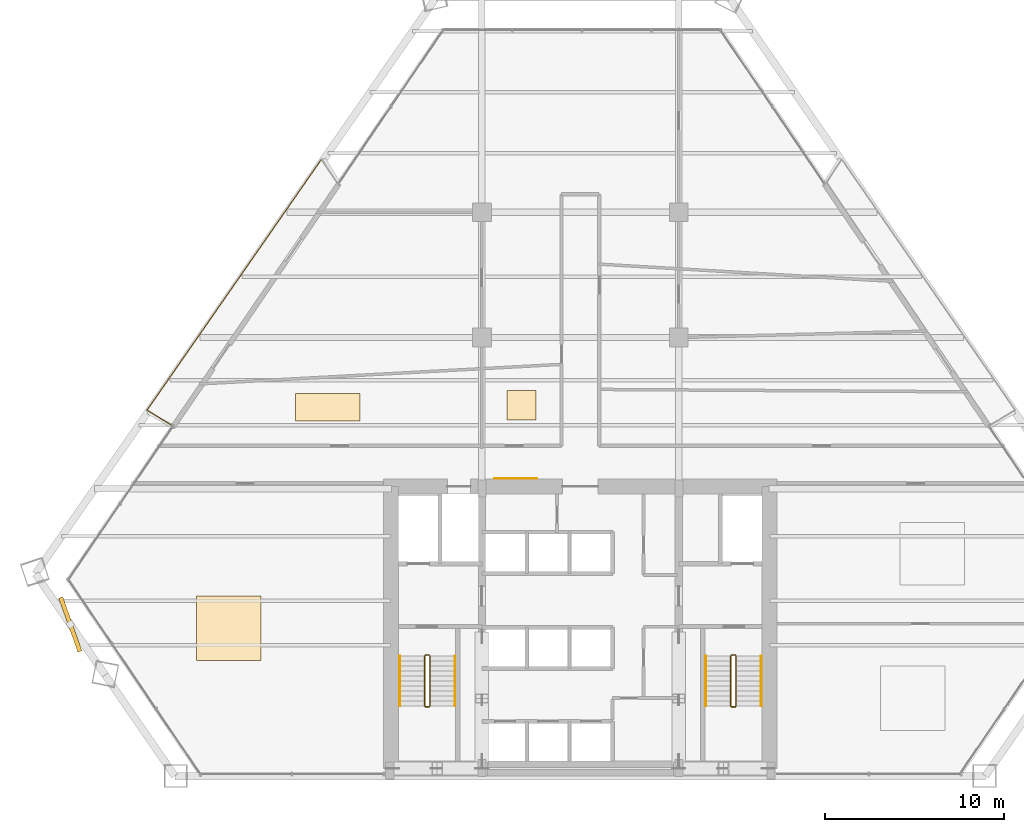
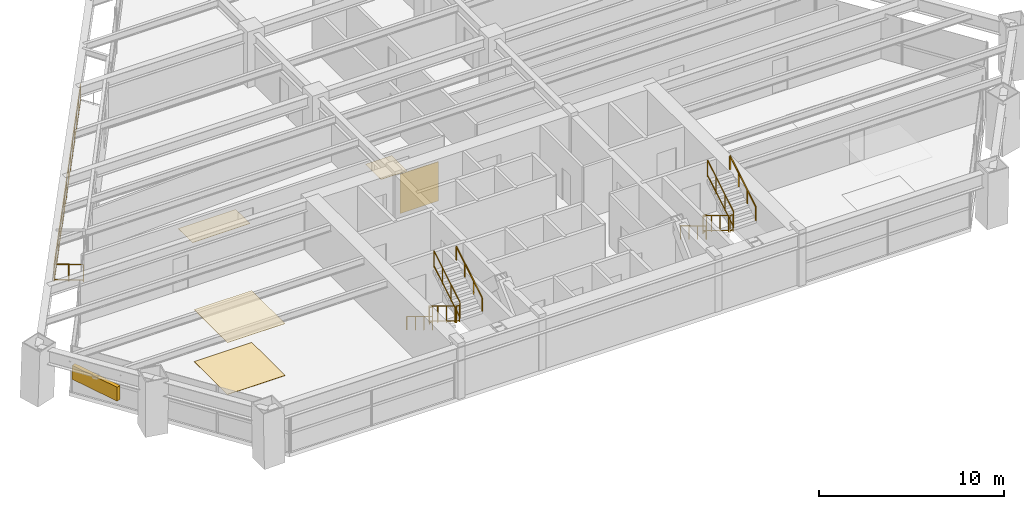
# One storey, part 13 of 14: 14 railings, 5 coverings, 1 shading device.
"""IFC4 building model written with IfcOpenShell, lengths in metres."""

import ifcopenshell
import ifcopenshell.guid

model = None  # the IFC model being written
_history = None  # IfcOwnerHistory: only IFC2X3 demands one
_inside = {}  # id of a spatial element -> (the spatial element, [elements in it])
_under = {}  # id of a project, library or spatial element -> (it, [spatial elements below it])
_declared = {}  # id of a project -> (the project, [libraries it declares])
_typed = {}  # id of a type object -> (the type object, [elements of that type])
_made_of = {}  # id of a material, layer set ... -> (it, [elements and type objects made of it])


def new_model(schema):
    """Start an empty IFC model of exactly this schema.

    Asked for "IFC4X3", IfcOpenShell would pick the latest addendum, in which some entities
    have other attributes; the version numbers below select the first issue.
    IFC2X3 requires an IfcOwnerHistory on every rooted entity: one is made here for all.
    """
    global model, _history
    if schema == "IFC4X3":
        model = ifcopenshell.file(schema_version=(4, 3, 0, 0))
    else:
        model = ifcopenshell.file(schema=schema)
    _inside.clear()
    _under.clear()
    _declared.clear()
    _typed.clear()
    _made_of.clear()
    _history = None
    if model.schema == "IFC2X3":
        org = make("IfcOrganization", Name="unknown")
        user = make(
            "IfcPersonAndOrganization",
            ThePerson=make("IfcPerson", FamilyName="unknown"),
            TheOrganization=org,
        )
        app = make(
            "IfcApplication",
            ApplicationDeveloper=org,
            Version="unknown",
            ApplicationFullName="unknown",
            ApplicationIdentifier="unknown",
        )
        _history = make(
            "IfcOwnerHistory",
            OwningUser=user,
            OwningApplication=app,
            ChangeAction="ADDED",
            CreationDate=0,
        )
    return model


def make(cls, **values):
    """One entity of the class cls with the attributes given. An attribute that is None is left unset."""
    return model.create_entity(
        cls, **{name: value for name, value in values.items() if value is not None}
    )


def rooted(cls, **values):
    """An entity with a GlobalId (a new one), such as an element, a storey or a relation."""
    return make(cls, GlobalId=ifcopenshell.guid.new(), OwnerHistory=_history, **values)


def si_unit(unit_type, name, prefix=None):
    """IfcSIUnit, for example si_unit("LENGTHUNIT", "METRE", prefix="MILLI")."""
    return make("IfcSIUnit", UnitType=unit_type, Prefix=prefix, Name=name)


def assignment(units):
    """IfcUnitAssignment: the units of a project."""
    return None if units is None else make("IfcUnitAssignment", Units=units)


def point(xyz):
    """IfcCartesianPoint."""
    return None if xyz is None else make("IfcCartesianPoint", Coordinates=xyz)


def direction(xyz):
    """IfcDirection."""
    return None if xyz is None else make("IfcDirection", DirectionRatios=xyz)


def frame(location, z_axis=None, x_axis=None):
    """IfcAxis2Placement3D, a coordinate frame: its origin and axes. An axis left out is left unset."""
    return make(
        "IfcAxis2Placement3D",
        Location=point(location),
        Axis=direction(z_axis),
        RefDirection=direction(x_axis),
    )


def frame_2d(location, x_axis=None):
    """IfcAxis2Placement2D, a coordinate frame in the plane: its origin and x axis."""
    return make(
        "IfcAxis2Placement2D", Location=point(location), RefDirection=direction(x_axis)
    )


def origin():
    """The frame at (0, 0, 0) with its axes left unset."""
    return frame((0.0, 0.0, 0.0))


def origin_2d():
    """The frame at (0, 0) in the plane with its x axis left unset."""
    return frame_2d((0.0, 0.0))


def place(relative_to, where):
    """IfcLocalPlacement: puts the frame where relative to a parent placement (None: the world)."""
    return make(
        "IfcLocalPlacement", PlacementRelTo=relative_to, RelativePlacement=where
    )


def context(
    kind, dimensions, precision=None, world=None, true_north=None, identifier=None
):
    """IfcGeometricRepresentationContext, for example the 3D "Model" context."""
    return make(
        "IfcGeometricRepresentationContext",
        ContextIdentifier=identifier,
        ContextType=kind,
        CoordinateSpaceDimension=dimensions,
        Precision=precision,
        WorldCoordinateSystem=world,
        TrueNorth=true_north,
    )


def subcontext(parent, identifier, kind, view, scale=None):
    """IfcGeometricRepresentationSubContext, for example "Body" below "Model"."""
    return make(
        "IfcGeometricRepresentationSubContext",
        ContextIdentifier=identifier,
        ContextType=kind,
        ParentContext=parent,
        TargetScale=scale,
        TargetView=view,
    )


def project(units=None, contexts=None):
    """IfcProject with its units and contexts."""
    return rooted(
        "IfcProject",
        Name="project",
        RepresentationContexts=contexts,
        UnitsInContext=assignment(units),
    )


def spatial(cls, under=None, at=None, **own):
    """A site, building, storey or space (cls), placed at a placement, below another one or the project."""
    s = rooted(cls, ObjectPlacement=at, **own)
    if under is not None:
        _under.setdefault(under.id(), (under, []))[1].append(s)
    return s


def profile(cls, at=None, kind="AREA", **sizes):
    """A parametric profile (cls). Its sizes go by their IFC names, for example OverallWidth=200.0."""
    return make(cls, ProfileType=kind, Position=at, **sizes)


def rectangle(**sizes):
    """IfcRectangleProfileDef."""
    return profile("IfcRectangleProfileDef", **sizes)


def extrude(swept, where, along, depth):
    """IfcExtrudedAreaSolid: the profile swept, set in the frame where, extruded along a direction by depth."""
    return make(
        "IfcExtrudedAreaSolid",
        SweptArea=swept,
        Position=where,
        ExtrudedDirection=direction(along),
        Depth=depth,
    )


def shape(context_of_items, identifier, shape_type, items):
    """IfcShapeRepresentation: the items that make up one representation, for example the "Body"."""
    return make(
        "IfcShapeRepresentation",
        ContextOfItems=context_of_items,
        RepresentationIdentifier=identifier,
        RepresentationType=shape_type,
        Items=items,
    )


def source(mapping_origin, context_of_items, identifier, shape_type, items):
    """IfcRepresentationMap: a shape defined once, which mapped items show again and again."""
    return make(
        "IfcRepresentationMap",
        MappingOrigin=mapping_origin,
        MappedRepresentation=shape(context_of_items, identifier, shape_type, items),
    )


def transform(
    local_origin,
    x_axis=None,
    y_axis=None,
    z_axis=None,
    scale=None,
    scale2=None,
    scale3=None,
    uniform=True,
):
    """IfcCartesianTransformationOperator3D, or its non-uniform kind. x_axis, y_axis, z_axis: its Axis1, 2, 3."""
    if uniform:
        return make(
            "IfcCartesianTransformationOperator3D",
            Axis1=direction(x_axis),
            Axis2=direction(y_axis),
            LocalOrigin=point(local_origin),
            Scale=scale,
            Axis3=direction(z_axis),
        )
    return make(
        "IfcCartesianTransformationOperator3DnonUniform",
        Axis1=direction(x_axis),
        Axis2=direction(y_axis),
        LocalOrigin=point(local_origin),
        Scale=scale,
        Axis3=direction(z_axis),
        Scale2=scale2,
        Scale3=scale3,
    )


def mapped(mapping_source, mapping_target):
    """IfcMappedItem: shows the shape of a source again, moved by a transform."""
    return make(
        "IfcMappedItem", MappingSource=mapping_source, MappingTarget=mapping_target
    )


def material(Name=None, Category=None):
    """IfcMaterial."""
    return make("IfcMaterial", Name=Name, Category=Category)


def layer(
    of_material, thickness, ventilated=None, Name=None, Category=None, Priority=None
):
    """IfcMaterialLayer: one layer of a wall or slab, of a material (None: an air gap)."""
    return make(
        "IfcMaterialLayer",
        Material=of_material,
        LayerThickness=thickness,
        IsVentilated=ventilated,
        Name=Name,
        Category=Category,
        Priority=Priority,
    )


def layer_set(layers, Name=None):
    """IfcMaterialLayerSet."""
    return make("IfcMaterialLayerSet", MaterialLayers=layers, LayerSetName=Name)


def made_of(thing, what):
    """Note that an element or type object is made of a material, layer set ...; save() writes the relation."""
    if what is not None:
        _made_of.setdefault(what.id(), (what, []))[1].append(thing)
    return thing


def type_object(cls, material=None, **own):
    """A type object (cls), such as IfcWallType, which elements share."""
    return made_of(rooted(cls, **own), material)


def type_shapes(of_type, sources):
    """Give a type object the sources (RepresentationMaps) that its elements show as mapped items."""
    of_type.RepresentationMaps = sources


def element(
    cls,
    number,
    at=None,
    inside=None,
    cuts=None,
    type_object=None,
    material=None,
    context=None,
    identifier="Body",
    shape_type=None,
    held_by="IfcProductDefinitionShape",
    body=None,
    shapes=None,
    **own,
):
    """One element of the class cls, such as IfcWall. Its Tag is "e" and its number.

    at: its placement. inside: the storey or other place that contains it. cuts: it is an
    opening in that element (IfcRelVoidsElement). A single representation is given by context,
    identifier, shape_type and body (its items); several are given by shapes. held_by: the class
    of the entity that holds the representations. save() writes the other relations.
    """
    e = rooted(cls, Tag="e%d" % number, ObjectPlacement=at, **own)
    if body is not None:
        shapes = [shape(context, identifier, shape_type, body)]
    if shapes is not None:
        e.Representation = make(held_by, Representations=shapes)
    if inside is not None:
        _inside.setdefault(inside.id(), (inside, []))[1].append(e)
    if cuts is not None:
        rooted(
            "IfcRelVoidsElement", RelatingBuildingElement=cuts, RelatedOpeningElement=e
        )
    if type_object is not None:
        _typed.setdefault(type_object.id(), (type_object, []))[1].append(e)
    return made_of(e, material)


def aggregate(whole, parts):
    """IfcRelAggregates: a whole, such as a stair, and the parts it consists of."""
    return rooted("IfcRelAggregates", RelatingObject=whole, RelatedObjects=parts)


def save(model, path):
    """Write the relations noted so far, then the file.

    IfcRelAggregates (storeys below a building ...), IfcRelContainedInSpatialStructure (elements
    in a storey), IfcRelDefinesByType, IfcRelAssociatesMaterial and IfcRelDeclares: one each for
    every whole, place, type object, material and project.
    """
    for whole, parts in _under.values():
        aggregate(whole, parts)
    for where, things in _inside.values():
        rooted(
            "IfcRelContainedInSpatialStructure",
            RelatedElements=things,
            RelatingStructure=where,
        )
    for kind, things in _typed.values():
        rooted("IfcRelDefinesByType", RelatedObjects=things, RelatingType=kind)
    for what, things in _made_of.values():
        rooted("IfcRelAssociatesMaterial", RelatedObjects=things, RelatingMaterial=what)
    for by, libraries in _declared.values():
        rooted("IfcRelDeclares", RelatingContext=by, RelatedDefinitions=libraries)
    model.write(path)


model = new_model("IFC4")

# Units and contexts
model_context = context("Model", 3, precision=1e-05, world=origin(), true_north=direction((0.0, 1.0)))
body_context = subcontext(model_context, "Body", "Model", "MODEL_VIEW")
ifc_project = project(units=[si_unit("LENGTHUNIT", "METRE"), si_unit("AREAUNIT", "SQUARE_METRE"), si_unit("VOLUMEUNIT", "CUBIC_METRE"), si_unit("PLANEANGLEUNIT", "RADIAN"), si_unit("MASSUNIT", "GRAM", prefix="KILO")], contexts=[model_context])

# Site, building, storey
site_placement = place(None, origin())
site = spatial("IfcSite", under=ifc_project, at=site_placement, CompositionType="ELEMENT")
building_placement = place(site_placement, origin())
building = spatial("IfcBuilding", under=site, at=building_placement, Name="Varnakhor Terracotta Tower", CompositionType="ELEMENT")
storey_placement = place(building_placement, frame((0.0, 0.0, 34.89990234375)))
storey = spatial("IfcBuildingStorey", under=building, at=storey_placement, Name="L07", CompositionType="ELEMENT", Elevation=34.89990234375)

# Railings
ifc_material_1 = material(Name="Stainless Steel & Laminated Glass Guardrail", Category="steel")
railing_type_1 = type_object("IfcRailingType", Name="RLG-LOGGIA-GUARD-1150", PredefinedType="GUARDRAIL", material=ifc_material_1)
railing_1_placement = place(storey_placement, frame((-22.855712890625, 19.606689453125, 0.0)))
element("IfcRailing", 1, at=railing_1_placement, inside=storey, type_object=railing_type_1, Name="L07 W Loggia Glass Guard 1", PredefinedType="GUARDRAIL", context=body_context, shape_type="SweptSolid", body=[
    extrude(rectangle(XDim=0.048095703125, YDim=0.048095703125, at=origin_2d()), frame((0.0, 0.0, 1.1259765625), z_axis=(-0.850104779924, 0.526613580484, 0.0), x_axis=(-0.526613580484, -0.850104779924, 0.0)), (0.0, 0.0, 1.0), 1.590087890625),
    extrude(rectangle(XDim=0.048095703125, YDim=0.048095703125, at=origin_2d()), frame((0.0, 0.0, 0.10009765625), z_axis=(-0.850104779924, 0.526613580484, 0.0), x_axis=(-0.526613580484, -0.850104779924, 0.0)), (0.0, 0.0, 1.0), 1.590087890625),
    extrude(rectangle(XDim=0.0419921875, YDim=0.0419921875, at=origin_2d()), origin(), (0.0, 0.0, 1.0), 1.101806640625),
    extrude(rectangle(XDim=0.0419921875, YDim=0.0419921875, at=origin_2d()), frame((-0.67578125, 0.418701171875, 0.0)), (0.0, 0.0, 1.0), 1.101806640625),
    extrude(rectangle(XDim=0.0419921875, YDim=0.0419921875, at=origin_2d()), frame((-1.351806640625, 0.83740234375, 0.0)), (0.0, 0.0, 1.0), 1.101806640625),
])
railing_2_placement = place(storey_placement, frame((-24.20751953125, 20.444091796875, 0.0)))
element("IfcRailing", 2, at=railing_2_placement, inside=storey, type_object=railing_type_1, Name="L07 W Loggia Glass Guard 2", PredefinedType="GUARDRAIL", context=body_context, shape_type="SweptSolid", body=[
    extrude(rectangle(XDim=0.048095703125, YDim=0.048095703125, at=origin_2d()), frame((0.0, 0.0, 1.1259765625), z_axis=(0.570798598002, 0.821090104994, 0.0), x_axis=(-0.821090104994, 0.570798598002, 0.0)), (0.0, 0.0, 1.0), 17.058349609375),
    extrude(rectangle(XDim=0.048095703125, YDim=0.048095703125, at=origin_2d()), frame((0.0, 0.0, 0.10009765625), z_axis=(0.570798598002, 0.821090104994, 0.0), x_axis=(-0.821090104994, 0.570798598002, 0.0)), (0.0, 0.0, 1.0), 17.058349609375),
    extrude(rectangle(XDim=0.0419921875, YDim=0.0419921875, at=origin_2d()), origin(), (0.0, 0.0, 1.0), 1.101806640625),
    extrude(rectangle(XDim=0.0419921875, YDim=0.0419921875, at=origin_2d()), frame((0.7490234375, 1.077392578125, 0.0)), (0.0, 0.0, 1.0), 1.101806640625),
    extrude(rectangle(XDim=0.0419921875, YDim=0.0419921875, at=origin_2d()), frame((1.498046875, 2.15478515625, 0.0)), (0.0, 0.0, 1.0), 1.101806640625),
    extrude(rectangle(XDim=0.0419921875, YDim=0.0419921875, at=origin_2d()), frame((2.2470703125, 3.232177734375, 0.0)), (0.0, 0.0, 1.0), 1.101806640625),
    extrude(rectangle(XDim=0.0419921875, YDim=0.0419921875, at=origin_2d()), frame((2.995849609375, 4.3095703125, 0.0)), (0.0, 0.0, 1.0), 1.101806640625),
    extrude(rectangle(XDim=0.0419921875, YDim=0.0419921875, at=origin_2d()), frame((3.744873046875, 5.386962890625, 0.0)), (0.0, 0.0, 1.0), 1.101806640625),
    extrude(rectangle(XDim=0.0419921875, YDim=0.0419921875, at=origin_2d()), frame((4.493896484375, 6.46435546875, 0.0)), (0.0, 0.0, 1.0), 1.101806640625),
    extrude(rectangle(XDim=0.0419921875, YDim=0.0419921875, at=origin_2d()), frame((5.242919921875, 7.5419921875, 0.0)), (0.0, 0.0, 1.0), 1.101806640625),
    extrude(rectangle(XDim=0.0419921875, YDim=0.0419921875, at=origin_2d()), frame((5.991943359375, 8.619384765625, 0.0)), (0.0, 0.0, 1.0), 1.101806640625),
    extrude(rectangle(XDim=0.0419921875, YDim=0.0419921875, at=origin_2d()), frame((6.740966796875, 9.69677734375, 0.0)), (0.0, 0.0, 1.0), 1.101806640625),
    extrude(rectangle(XDim=0.0419921875, YDim=0.0419921875, at=origin_2d()), frame((7.48974609375, 10.774169921875, 0.0)), (0.0, 0.0, 1.0), 1.101806640625),
    extrude(rectangle(XDim=0.0419921875, YDim=0.0419921875, at=origin_2d()), frame((8.23876953125, 11.8515625, 0.0)), (0.0, 0.0, 1.0), 1.101806640625),
    extrude(rectangle(XDim=0.0419921875, YDim=0.0419921875, at=origin_2d()), frame((8.98779296875, 12.928955078125, 0.0)), (0.0, 0.0, 1.0), 1.101806640625),
    extrude(rectangle(XDim=0.0419921875, YDim=0.0419921875, at=origin_2d()), frame((9.73681640625, 14.00634765625, 0.0)), (0.0, 0.0, 1.0), 1.101806640625),
])
ifc_material_2 = material(Name="Painted Steel Stairwell Guardrail", Category="steel")
railing_type_2 = type_object("IfcRailingType", Name="RLG-STAIR-GUARD-1120", PredefinedType="GUARDRAIL", material=ifc_material_2)
railing_3_placement = place(storey_placement, frame((-8.699951171875, 6.7099609375, 0.168212890625)))
element("IfcRailing", 3, at=railing_3_placement, inside=storey, type_object=railing_type_2, Name="L07 ST-1 stair guard 1", PredefinedType="GUARDRAIL", context=body_context, shape_type="SweptSolid", body=[
    extrude(rectangle(XDim=0.048095703125, YDim=0.048095703125, at=origin_2d()), frame((0.0, 0.0, 1.09619140625), z_axis=(0.0, -0.857242210791, 0.514913383045), x_axis=(1.0, 0.0, 0.0)), (0.0, 0.0, 1.0), 3.266357421875),
    extrude(rectangle(XDim=0.048095703125, YDim=0.048095703125, at=origin_2d()), frame((0.0, 0.0, 0.10009765625), z_axis=(0.0, -0.857242210791, 0.514913383045), x_axis=(1.0, 0.0, 0.0)), (0.0, 0.0, 1.0), 3.266357421875),
    extrude(rectangle(XDim=0.0419921875, YDim=0.0419921875, at=origin_2d()), origin(), (0.0, 0.0, 1.0), 1.072021484375),
    extrude(rectangle(XDim=0.0419921875, YDim=0.0419921875, at=origin_2d()), frame((0.0, -0.933349609375, 0.560546875)), (0.0, 0.0, 1.0), 1.072021484375),
    extrude(rectangle(XDim=0.0419921875, YDim=0.0419921875, at=origin_2d()), frame((0.0, -1.86669921875, 1.121337890625)), (0.0, 0.0, 1.0), 1.072021484375),
    extrude(rectangle(XDim=0.0419921875, YDim=0.0419921875, at=origin_2d()), frame((0.0, -2.800048828125, 1.681884765625)), (0.0, 0.0, 1.0), 1.072021484375),
])
railing_4_placement = place(storey_placement, frame((-8.64990234375, 3.860107421875, 1.85009765625)))
element("IfcRailing", 4, at=railing_4_placement, inside=storey, type_object=railing_type_2, Name="L07 ST-1 stair guard 2", PredefinedType="GUARDRAIL", context=body_context, shape_type="SweptSolid", body=[
    extrude(rectangle(XDim=0.048095703125, YDim=0.048095703125, at=origin_2d()), frame((0.0, 0.0, 1.09619140625), z_axis=(1.0, 0.0, 0.0), x_axis=(0.0, 1.0, 0.0)), (0.0, 0.0, 1.0), 0.199951171875),
    extrude(rectangle(XDim=0.048095703125, YDim=0.048095703125, at=origin_2d()), frame((0.0, 0.0, 0.10009765625), z_axis=(1.0, 0.0, 0.0), x_axis=(0.0, 1.0, 0.0)), (0.0, 0.0, 1.0), 0.199951171875),
    extrude(rectangle(XDim=0.0419921875, YDim=0.0419921875, at=origin_2d()), origin(), (0.0, 0.0, 1.0), 1.072021484375),
    extrude(rectangle(XDim=0.0419921875, YDim=0.0419921875, at=origin_2d()), frame((0.199951171875, 0.0, 0.0)), (0.0, 0.0, 1.0), 1.072021484375),
])
railing_5_placement = place(storey_placement, frame((-8.39990234375, 3.909912109375, 2.018310546875)))
element("IfcRailing", 5, at=railing_5_placement, inside=storey, type_object=railing_type_2, Name="L07 ST-1 stair guard 3", PredefinedType="GUARDRAIL", context=body_context, shape_type="SweptSolid", body=[
    extrude(rectangle(XDim=0.048095703125, YDim=0.048095703125, at=origin_2d()), frame((0.0, 0.0, 1.09619140625), z_axis=(0.0, 0.857242210791, 0.514913383045), x_axis=(-1.0, 0.0, 0.0)), (0.0, 0.0, 1.0), 3.266357421875),
    extrude(rectangle(XDim=0.048095703125, YDim=0.048095703125, at=origin_2d()), frame((0.0, 0.0, 0.10009765625), z_axis=(0.0, 0.857242210791, 0.514913383045), x_axis=(-1.0, 0.0, 0.0)), (0.0, 0.0, 1.0), 3.266357421875),
    extrude(rectangle(XDim=0.0419921875, YDim=0.0419921875, at=origin_2d()), origin(), (0.0, 0.0, 1.0), 1.072021484375),
    extrude(rectangle(XDim=0.0419921875, YDim=0.0419921875, at=origin_2d()), frame((0.0, 0.933349609375, 0.560546875)), (0.0, 0.0, 1.0), 1.072021484375),
    extrude(rectangle(XDim=0.0419921875, YDim=0.0419921875, at=origin_2d()), frame((0.0, 1.86669921875, 1.121337890625)), (0.0, 0.0, 1.0), 1.072021484375),
    extrude(rectangle(XDim=0.0419921875, YDim=0.0419921875, at=origin_2d()), frame((0.0, 2.800048828125, 1.681884765625)), (0.0, 0.0, 1.0), 1.072021484375),
])
railing_6_placement = place(storey_placement, frame((-8.64990234375, 6.760009765625, 0.0)))
element("IfcRailing", 6, at=railing_6_placement, inside=storey, type_object=railing_type_2, Name="L07 ST-1 stair guard 4", PredefinedType="GUARDRAIL", context=body_context, shape_type="SweptSolid", body=[
    extrude(rectangle(XDim=0.048095703125, YDim=0.048095703125, at=origin_2d()), frame((0.0, 0.0, 1.09619140625), z_axis=(1.0, 0.0, 0.0), x_axis=(0.0, 1.0, 0.0)), (0.0, 0.0, 1.0), 0.199951171875),
    extrude(rectangle(XDim=0.048095703125, YDim=0.048095703125, at=origin_2d()), frame((0.0, 0.0, 0.10009765625), z_axis=(1.0, 0.0, 0.0), x_axis=(0.0, 1.0, 0.0)), (0.0, 0.0, 1.0), 0.199951171875),
    extrude(rectangle(XDim=0.0419921875, YDim=0.0419921875, at=origin_2d()), origin(), (0.0, 0.0, 1.0), 1.072021484375),
    extrude(rectangle(XDim=0.0419921875, YDim=0.0419921875, at=origin_2d()), frame((0.199951171875, 0.0, 0.0)), (0.0, 0.0, 1.0), 1.072021484375),
])
railing_7_placement = place(storey_placement, frame((8.39990234375, 6.7099609375, 0.168212890625)))
element("IfcRailing", 7, at=railing_7_placement, inside=storey, type_object=railing_type_2, Name="L07 ST-2 stair guard 1", PredefinedType="GUARDRAIL", context=body_context, shape_type="SweptSolid", body=[
    extrude(rectangle(XDim=0.048095703125, YDim=0.048095703125, at=origin_2d()), frame((0.0, 0.0, 1.09619140625), z_axis=(0.0, -0.857242210791, 0.514913383045), x_axis=(1.0, 0.0, 0.0)), (0.0, 0.0, 1.0), 3.266357421875),
    extrude(rectangle(XDim=0.048095703125, YDim=0.048095703125, at=origin_2d()), frame((0.0, 0.0, 0.10009765625), z_axis=(0.0, -0.857242210791, 0.514913383045), x_axis=(1.0, 0.0, 0.0)), (0.0, 0.0, 1.0), 3.266357421875),
    extrude(rectangle(XDim=0.0419921875, YDim=0.0419921875, at=origin_2d()), origin(), (0.0, 0.0, 1.0), 1.072021484375),
    extrude(rectangle(XDim=0.0419921875, YDim=0.0419921875, at=origin_2d()), frame((0.0, -0.933349609375, 0.560546875)), (0.0, 0.0, 1.0), 1.072021484375),
    extrude(rectangle(XDim=0.0419921875, YDim=0.0419921875, at=origin_2d()), frame((0.0, -1.86669921875, 1.121337890625)), (0.0, 0.0, 1.0), 1.072021484375),
    extrude(rectangle(XDim=0.0419921875, YDim=0.0419921875, at=origin_2d()), frame((0.0, -2.800048828125, 1.681884765625)), (0.0, 0.0, 1.0), 1.072021484375),
])
railing_8_placement = place(storey_placement, frame((8.449951171875, 3.860107421875, 1.85009765625)))
element("IfcRailing", 8, at=railing_8_placement, inside=storey, type_object=railing_type_2, Name="L07 ST-2 stair guard 2", PredefinedType="GUARDRAIL", context=body_context, shape_type="SweptSolid", body=[
    extrude(rectangle(XDim=0.048095703125, YDim=0.048095703125, at=origin_2d()), frame((0.0, 0.0, 1.09619140625), z_axis=(1.0, 0.0, 0.0), x_axis=(0.0, 1.0, 0.0)), (0.0, 0.0, 1.0), 0.199951171875),
    extrude(rectangle(XDim=0.048095703125, YDim=0.048095703125, at=origin_2d()), frame((0.0, 0.0, 0.10009765625), z_axis=(1.0, 0.0, 0.0), x_axis=(0.0, 1.0, 0.0)), (0.0, 0.0, 1.0), 0.199951171875),
    extrude(rectangle(XDim=0.0419921875, YDim=0.0419921875, at=origin_2d()), origin(), (0.0, 0.0, 1.0), 1.072021484375),
    extrude(rectangle(XDim=0.0419921875, YDim=0.0419921875, at=origin_2d()), frame((0.199951171875, 0.0, 0.0)), (0.0, 0.0, 1.0), 1.072021484375),
])
railing_9_placement = place(storey_placement, frame((8.699951171875, 3.909912109375, 2.018310546875)))
element("IfcRailing", 9, at=railing_9_placement, inside=storey, type_object=railing_type_2, Name="L07 ST-2 stair guard 3", PredefinedType="GUARDRAIL", context=body_context, shape_type="SweptSolid", body=[
    extrude(rectangle(XDim=0.048095703125, YDim=0.048095703125, at=origin_2d()), frame((0.0, 0.0, 1.09619140625), z_axis=(0.0, 0.857242210791, 0.514913383045), x_axis=(-1.0, 0.0, 0.0)), (0.0, 0.0, 1.0), 3.266357421875),
    extrude(rectangle(XDim=0.048095703125, YDim=0.048095703125, at=origin_2d()), frame((0.0, 0.0, 0.10009765625), z_axis=(0.0, 0.857242210791, 0.514913383045), x_axis=(-1.0, 0.0, 0.0)), (0.0, 0.0, 1.0), 3.266357421875),
    extrude(rectangle(XDim=0.0419921875, YDim=0.0419921875, at=origin_2d()), origin(), (0.0, 0.0, 1.0), 1.072021484375),
    extrude(rectangle(XDim=0.0419921875, YDim=0.0419921875, at=origin_2d()), frame((0.0, 0.933349609375, 0.560546875)), (0.0, 0.0, 1.0), 1.072021484375),
    extrude(rectangle(XDim=0.0419921875, YDim=0.0419921875, at=origin_2d()), frame((0.0, 1.86669921875, 1.121337890625)), (0.0, 0.0, 1.0), 1.072021484375),
    extrude(rectangle(XDim=0.0419921875, YDim=0.0419921875, at=origin_2d()), frame((0.0, 2.800048828125, 1.681884765625)), (0.0, 0.0, 1.0), 1.072021484375),
])
railing_10_placement = place(storey_placement, frame((8.449951171875, 6.760009765625, 0.0)))
element("IfcRailing", 10, at=railing_10_placement, inside=storey, type_object=railing_type_2, Name="L07 ST-2 stair guard 4", PredefinedType="GUARDRAIL", context=body_context, shape_type="SweptSolid", body=[
    extrude(rectangle(XDim=0.048095703125, YDim=0.048095703125, at=origin_2d()), frame((0.0, 0.0, 1.09619140625), z_axis=(1.0, 0.0, 0.0), x_axis=(0.0, 1.0, 0.0)), (0.0, 0.0, 1.0), 0.199951171875),
    extrude(rectangle(XDim=0.048095703125, YDim=0.048095703125, at=origin_2d()), frame((0.0, 0.0, 0.10009765625), z_axis=(1.0, 0.0, 0.0), x_axis=(0.0, 1.0, 0.0)), (0.0, 0.0, 1.0), 0.199951171875),
    extrude(rectangle(XDim=0.0419921875, YDim=0.0419921875, at=origin_2d()), origin(), (0.0, 0.0, 1.0), 1.072021484375),
    extrude(rectangle(XDim=0.0419921875, YDim=0.0419921875, at=origin_2d()), frame((0.199951171875, 0.0, 0.0)), (0.0, 0.0, 1.0), 1.072021484375),
])
ifc_material_3 = material(Name="Brushed Stainless Steel Handrail", Category="steel")
railing_type_3 = type_object("IfcRailingType", Name="RLG-STAIR-HANDRAIL-920", PredefinedType="HANDRAIL", material=ifc_material_3)
railing_11_placement = place(storey_placement, frame((-10.10009765625, 6.7099609375, 0.168212890625)))
element("IfcRailing", 11, at=railing_11_placement, inside=storey, type_object=railing_type_3, Name="L07 ST-1 stair handrail 1", PredefinedType="HANDRAIL", context=body_context, shape_type="SweptSolid", body=[
    extrude(rectangle(XDim=0.048095703125, YDim=0.048095703125, at=origin_2d()), frame((0.0, 0.0, 0.89599609375), z_axis=(0.0, -0.857242210791, 0.514913383045), x_axis=(1.0, 0.0, 0.0)), (0.0, 0.0, 1.0), 3.266357421875),
    extrude(rectangle(XDim=0.0419921875, YDim=0.0419921875, at=origin_2d()), origin(), (0.0, 0.0, 1.0), 0.871826171875),
    extrude(rectangle(XDim=0.0419921875, YDim=0.0419921875, at=origin_2d()), frame((0.0, -0.933349609375, 0.560546875)), (0.0, 0.0, 1.0), 0.871826171875),
    extrude(rectangle(XDim=0.0419921875, YDim=0.0419921875, at=origin_2d()), frame((0.0, -1.86669921875, 1.121337890625)), (0.0, 0.0, 1.0), 0.871826171875),
    extrude(rectangle(XDim=0.0419921875, YDim=0.0419921875, at=origin_2d()), frame((0.0, -2.800048828125, 1.681884765625)), (0.0, 0.0, 1.0), 0.871826171875),
])
railing_12_placement = place(storey_placement, frame((-7.0, 3.909912109375, 2.018310546875)))
element("IfcRailing", 12, at=railing_12_placement, inside=storey, type_object=railing_type_3, Name="L07 ST-1 stair handrail 2", PredefinedType="HANDRAIL", context=body_context, shape_type="SweptSolid", body=[
    extrude(rectangle(XDim=0.048095703125, YDim=0.048095703125, at=origin_2d()), frame((0.0, 0.0, 0.89599609375), z_axis=(0.0, 0.857242210791, 0.514913383045), x_axis=(-1.0, 0.0, 0.0)), (0.0, 0.0, 1.0), 3.266357421875),
    extrude(rectangle(XDim=0.0419921875, YDim=0.0419921875, at=origin_2d()), origin(), (0.0, 0.0, 1.0), 0.871826171875),
    extrude(rectangle(XDim=0.0419921875, YDim=0.0419921875, at=origin_2d()), frame((0.0, 0.933349609375, 0.560546875)), (0.0, 0.0, 1.0), 0.871826171875),
    extrude(rectangle(XDim=0.0419921875, YDim=0.0419921875, at=origin_2d()), frame((0.0, 1.86669921875, 1.121337890625)), (0.0, 0.0, 1.0), 0.871826171875),
    extrude(rectangle(XDim=0.0419921875, YDim=0.0419921875, at=origin_2d()), frame((0.0, 2.800048828125, 1.681884765625)), (0.0, 0.0, 1.0), 0.871826171875),
])
railing_13_placement = place(storey_placement, frame((7.0, 6.7099609375, 0.168212890625)))
element("IfcRailing", 13, at=railing_13_placement, inside=storey, type_object=railing_type_3, Name="L07 ST-2 stair handrail 1", PredefinedType="HANDRAIL", context=body_context, shape_type="SweptSolid", body=[
    extrude(rectangle(XDim=0.048095703125, YDim=0.048095703125, at=origin_2d()), frame((0.0, 0.0, 0.89599609375), z_axis=(0.0, -0.857242210791, 0.514913383045), x_axis=(1.0, 0.0, 0.0)), (0.0, 0.0, 1.0), 3.266357421875),
    extrude(rectangle(XDim=0.0419921875, YDim=0.0419921875, at=origin_2d()), origin(), (0.0, 0.0, 1.0), 0.871826171875),
    extrude(rectangle(XDim=0.0419921875, YDim=0.0419921875, at=origin_2d()), frame((0.0, -0.933349609375, 0.560546875)), (0.0, 0.0, 1.0), 0.871826171875),
    extrude(rectangle(XDim=0.0419921875, YDim=0.0419921875, at=origin_2d()), frame((0.0, -1.86669921875, 1.121337890625)), (0.0, 0.0, 1.0), 0.871826171875),
    extrude(rectangle(XDim=0.0419921875, YDim=0.0419921875, at=origin_2d()), frame((0.0, -2.800048828125, 1.681884765625)), (0.0, 0.0, 1.0), 0.871826171875),
])
railing_14_placement = place(storey_placement, frame((10.10009765625, 3.909912109375, 2.018310546875)))
element("IfcRailing", 14, at=railing_14_placement, inside=storey, type_object=railing_type_3, Name="L07 ST-2 stair handrail 2", PredefinedType="HANDRAIL", context=body_context, shape_type="SweptSolid", body=[
    extrude(rectangle(XDim=0.048095703125, YDim=0.048095703125, at=origin_2d()), frame((0.0, 0.0, 0.89599609375), z_axis=(0.0, 0.857242210791, 0.514913383045), x_axis=(-1.0, 0.0, 0.0)), (0.0, 0.0, 1.0), 3.266357421875),
    extrude(rectangle(XDim=0.0419921875, YDim=0.0419921875, at=origin_2d()), origin(), (0.0, 0.0, 1.0), 0.871826171875),
    extrude(rectangle(XDim=0.0419921875, YDim=0.0419921875, at=origin_2d()), frame((0.0, 0.933349609375, 0.560546875)), (0.0, 0.0, 1.0), 0.871826171875),
    extrude(rectangle(XDim=0.0419921875, YDim=0.0419921875, at=origin_2d()), frame((0.0, 1.86669921875, 1.121337890625)), (0.0, 0.0, 1.0), 0.871826171875),
    extrude(rectangle(XDim=0.0419921875, YDim=0.0419921875, at=origin_2d()), frame((0.0, 2.800048828125, 1.681884765625)), (0.0, 0.0, 1.0), 0.871826171875),
])

# Shading device
ifc_material_4 = material(Name="Extruded Architectural Terracotta Screen", Category="masonry")
shading_device_type = type_object("IfcShadingDeviceType", Name="TERRACOTTA SOLAR SCREEN W", PredefinedType="USERDEFINED", material=ifc_material_4)
shared_shape_1 = source(origin(), body_context, "Body", "SweptSolid", [
    extrude(rectangle(XDim=3.199951171875, YDim=0.239990234375, at=origin_2d()), origin(), (0.0, 0.0, 1.0), 0.919921875),
])
type_shapes(shading_device_type, [shared_shape_1])
shading_device_placement = place(storey_placement, frame((-28.49658203125, 8.46826171875, 1.6181640625), z_axis=(0.0, 0.0, 1.0), x_axis=(0.334974708678, -0.942227119407, 0.0)))
element("IfcShadingDevice", 15, at=shading_device_placement, inside=storey, type_object=shading_device_type, Name="L07 W Terracotta Solar Screen", ObjectType="SCREEN", PredefinedType="USERDEFINED", context=body_context, shape_type="MappedRepresentation", body=[
    mapped(shared_shape_1, transform((0.0, 0.0, 0.0), scale=1.0)),
])

# Coverings
ifc_material_5 = material(Name="Extruded Architectural Terracotta Cladding", Category="masonry")
ifc_layer_1 = layer(ifc_material_5, 0.044921875, Name="Extruded Architectural Terracotta Cladding")
ifc_layer_set_1 = layer_set([ifc_layer_1], Name="Extruded Architectural Terracotta Cladding")
covering_type_1 = type_object("IfcCoveringType", Name="COV-CLAD-TERRACOTTA", PredefinedType="CLADDING", material=ifc_layer_set_1)
shared_shape_2 = source(origin(), body_context, "Body", "SweptSolid", [
    extrude(rectangle(XDim=2.39990234375, YDim=0.030029296875, at=origin_2d()), origin(), (0.0, 0.0, 1.0), 2.60009765625),
])
type_shapes(covering_type_1, [shared_shape_2])
covering_1_placement = place(storey_placement, frame((-3.60009765625, 16.612060546875, 0.0), z_axis=(0.0, 0.0, 1.0), x_axis=(1.0, 0.0, 0.0)))
element("IfcCovering", 16, at=covering_1_placement, inside=storey, type_object=covering_type_1, Name="L07 Core Lobby Limestone Cladding", PredefinedType="CLADDING", context=body_context, shape_type="MappedRepresentation", body=[
    mapped(shared_shape_2, transform((0.0, 0.0, 0.0), scale=1.0)),
])
ifc_material_6 = material(Name="Honed Riyadh Limestone Flooring", Category="masonry")
ifc_layer_2 = layer(ifc_material_6, 0.030029296875, Name="Honed Riyadh Limestone Flooring")
ifc_layer_set_2 = layer_set([ifc_layer_2], Name="Honed Riyadh Limestone Flooring")
covering_type_2 = type_object("IfcCoveringType", Name="COV-FLOOR-LIMESTONE", PredefinedType="FLOORING", material=ifc_layer_set_2)
shared_shape_3 = source(origin(), body_context, "Body", "SweptSolid", [
    extrude(rectangle(XDim=3.60009765625, YDim=3.60009765625, at=origin_2d()), origin(), (0.0, 0.0, 1.0), 0.02001953125),
])
covering_2_placement = place(storey_placement, frame((-19.64208984375, 8.26611328125, 0.0), z_axis=(0.0, 0.0, 1.0), x_axis=(1.0, 0.0, 0.0)))
element("IfcCovering", 17, at=covering_2_placement, inside=storey, type_object=covering_type_2, Name="L07 Honed Stone Flooring 2", PredefinedType="FLOORING", context=body_context, shape_type="MappedRepresentation", body=[
    mapped(shared_shape_3, transform((0.0, 0.0, 0.0), scale=1.0)),
])
ifc_material_7 = material(Name="Perforated Acoustic Mineral-Fibre Ceiling", Category="gypsum")
ifc_layer_3 = layer(ifc_material_7, 0.02490234375, Name="Perforated Acoustic Mineral-Fibre Ceiling")
ifc_layer_set_3 = layer_set([ifc_layer_3], Name="Perforated Acoustic Mineral-Fibre Ceiling")
covering_type_3 = type_object("IfcCoveringType", Name="COV-CEILING-ACOUSTIC", PredefinedType="CEILING", material=ifc_layer_set_3)
shared_shape_4 = source(origin(), body_context, "Body", "SweptSolid", [
    extrude(rectangle(XDim=3.60009765625, YDim=3.60009765625, at=origin_2d()), origin(), (0.0, 0.0, 1.0), 0.02392578125),
])
covering_3_placement = place(storey_placement, frame((-19.64208984375, 8.26611328125, 3.426025390625), z_axis=(0.0, 0.0, 1.0), x_axis=(1.0, 0.0, 0.0)))
element("IfcCovering", 18, at=covering_3_placement, inside=storey, type_object=covering_type_3, Name="L07 Acoustic Ceiling Panel 2", PredefinedType="CEILING", context=body_context, shape_type="MappedRepresentation", body=[
    mapped(shared_shape_4, transform((0.0, 0.0, 0.0), scale=1.0)),
])
shared_shape_5 = source(origin(), body_context, "Body", "SweptSolid", [
    extrude(rectangle(XDim=3.60009765625, YDim=1.537109375, at=origin_2d()), origin(), (0.0, 0.0, 1.0), 0.02001953125),
])
covering_4_placement = place(storey_placement, frame((-14.116943359375, 20.595947265625, 0.0), z_axis=(0.0, 0.0, 1.0), x_axis=(1.0, 0.0, 0.0)))
element("IfcCovering", 19, at=covering_4_placement, inside=storey, type_object=covering_type_2, Name="L07 Honed Stone Flooring 4", PredefinedType="FLOORING", context=body_context, shape_type="MappedRepresentation", body=[
    mapped(shared_shape_5, transform((0.0, 0.0, 0.0), scale=1.0)),
])
shared_shape_6 = source(origin(), body_context, "Body", "SweptSolid", [
    extrude(rectangle(XDim=1.636962890625, YDim=1.6689453125, at=origin_2d()), origin(), (0.0, 0.0, 1.0), 0.02001953125),
])
covering_5_placement = place(storey_placement, frame((-3.285888671875, 20.715087890625, 0.0), z_axis=(0.0, 0.0, 1.0), x_axis=(1.0, 0.0, 0.0)))
element("IfcCovering", 20, at=covering_5_placement, inside=storey, type_object=covering_type_2, Name="L07 Honed Stone Flooring 5", PredefinedType="FLOORING", context=body_context, shape_type="MappedRepresentation", body=[
    mapped(shared_shape_6, transform((0.0, 0.0, 0.0), scale=1.0)),
])

save(model, "model.ifc")
